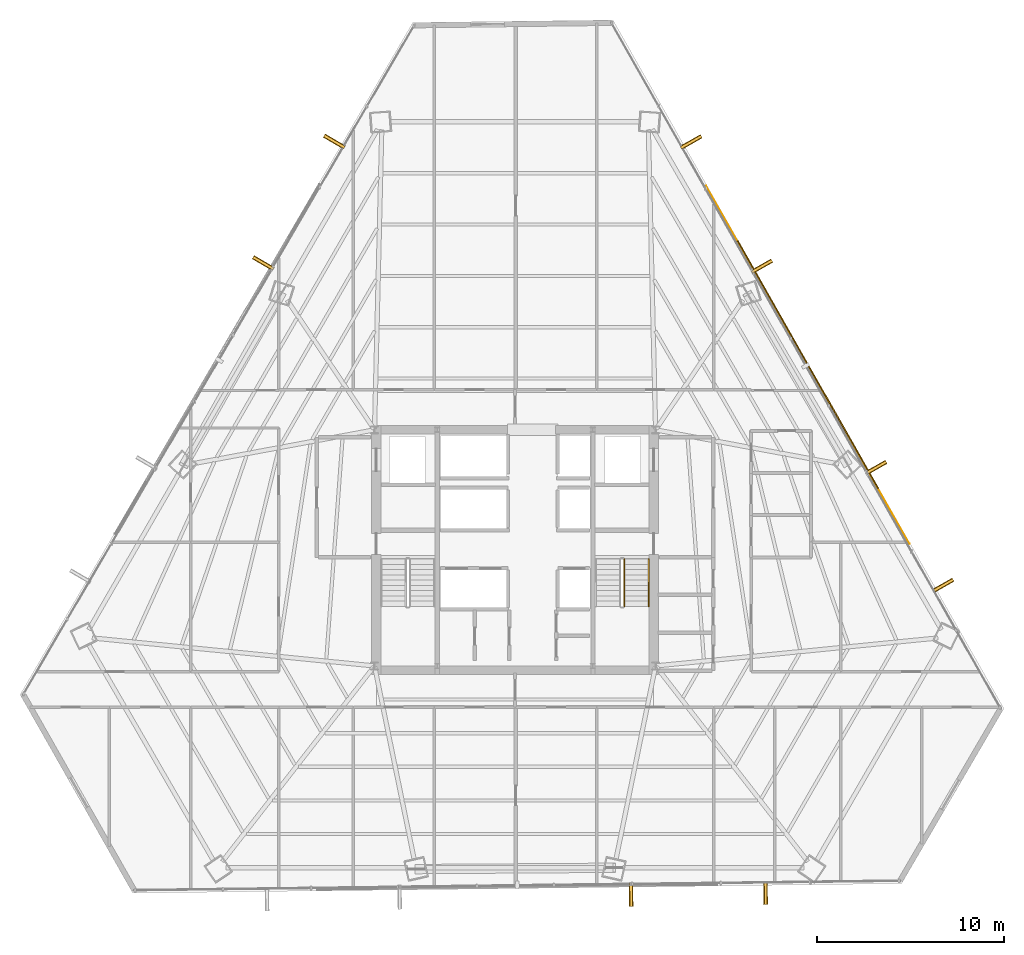
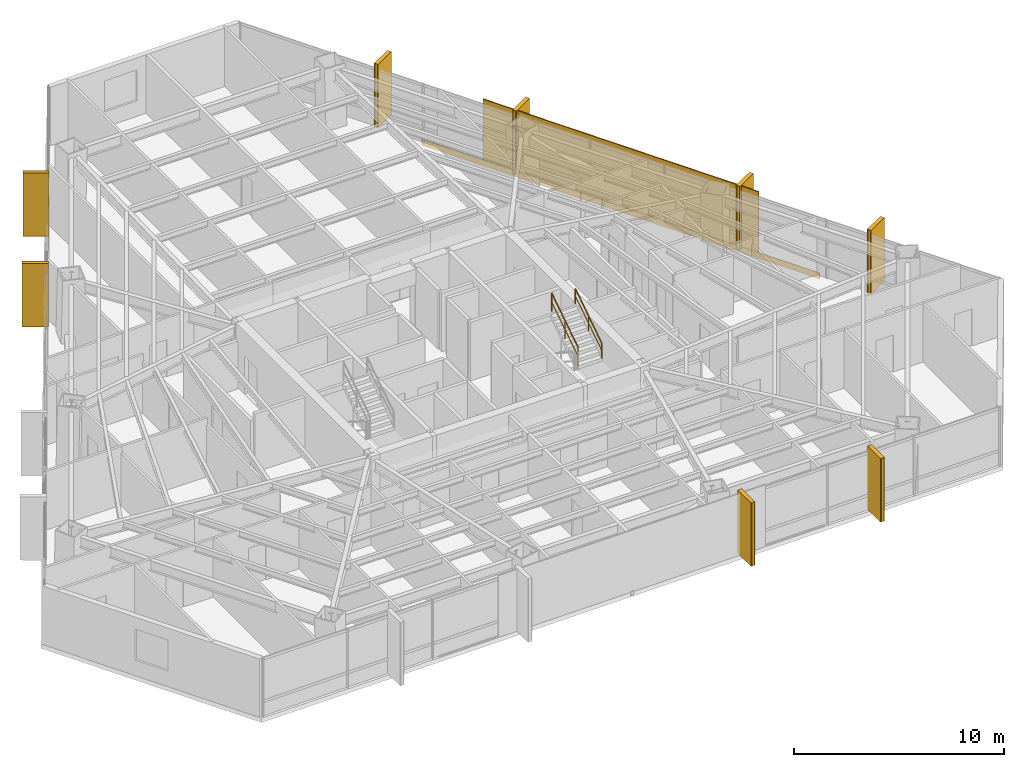
# One storey, part 37 of 37: 9 coverings, 9 shading devices, 2 railings.
"""IFC4 building model written with IfcOpenShell, lengths in metres."""

from ifc_helpers import new_model, si_unit, direction, frame, origin, origin_2d, place, context, subcontext, project, spatial, rectangle, extrude, source, transform, mapped, material, layer, layer_set, type_object, type_shapes, element, save


model = new_model("IFC4")

# Units and contexts
model_context = context("Model", 3, precision=1e-05, world=origin(), true_north=direction((0.0, 1.0)))
body_context = subcontext(model_context, "Body", "Model", "MODEL_VIEW")
ifc_project = project(units=[si_unit("LENGTHUNIT", "METRE"), si_unit("AREAUNIT", "SQUARE_METRE"), si_unit("VOLUMEUNIT", "CUBIC_METRE"), si_unit("PLANEANGLEUNIT", "RADIAN"), si_unit("MASSUNIT", "GRAM", prefix="KILO")], contexts=[model_context])

# Site, building, storey
site_placement = place(None, origin())
site = spatial("IfcSite", under=ifc_project, at=site_placement, CompositionType="ELEMENT")
building_placement = place(site_placement, origin())
building = spatial("IfcBuilding", under=site, at=building_placement, Name="Caelisora Broadcast Tower", CompositionType="ELEMENT")
storey_placement = place(building_placement, frame((0.0, 0.0, 116.35009765625)))
storey = spatial("IfcBuildingStorey", under=building, at=storey_placement, Name="L30", CompositionType="ELEMENT", Elevation=116.35009765625)

# Railings
ifc_material_1 = material(Name="Galvanised Steel Safety Guardrail", Category="steel")
ifc_layer_1 = layer(ifc_material_1, 0.048095703125, Name="Galvanised Steel Safety Guardrail")
ifc_layer_set_1 = layer_set([ifc_layer_1], Name="Galvanised Steel Safety Guardrail")
railing_type_1 = type_object("IfcRailingType", Name="GR-1", PredefinedType="GUARDRAIL", material=ifc_layer_set_1)
railing_1_placement = place(storey_placement, frame((43.830078125, 20.580078125, 2.00732421875)))
element("IfcRailing", 1, at=railing_1_placement, inside=storey, type_object=railing_type_1, Name="L30 ST-2 stair guard 3", PredefinedType="GUARDRAIL", context=body_context, shape_type="SweptSolid", body=[
    extrude(rectangle(XDim=0.048095703125, YDim=0.048095703125, at=origin_2d()), frame((0.0, 0.0, 1.076171875), z_axis=(0.0, 0.837749427056, 0.546054848405), x_axis=(-1.0, 0.0, 0.0)), (0.0, 0.0, 1.0), 3.008056640625),
    extrude(rectangle(XDim=0.03125, YDim=0.03125, at=origin_2d()), frame((0.0, 0.0, 0.550048828125), z_axis=(0.0, 0.837749427056, 0.546054848405), x_axis=(-1.0, 0.0, 0.0)), (0.0, 0.0, 1.0), 3.008056640625),
    extrude(rectangle(XDim=0.0419921875, YDim=0.0419921875, at=origin_2d()), origin(), (0.0, 0.0, 1.0), 1.052001953125),
    extrude(rectangle(XDim=0.0419921875, YDim=0.0419921875, at=origin_2d()), frame((0.0, 1.260009765625, 0.8212890625)), (0.0, 0.0, 1.0), 1.052001953125),
    extrude(rectangle(XDim=0.0419921875, YDim=0.0419921875, at=origin_2d()), frame((0.0, 2.52001953125, 1.642578125)), (0.0, 0.0, 1.0), 1.052001953125),
])
ifc_material_2 = material(Name="Stainless Steel Grade 316 Tubular Handrail", Category="steel")
ifc_layer_2 = layer(ifc_material_2, 0.048095703125, Name="Stainless Steel Grade 316 Tubular Handrail")
ifc_layer_set_2 = layer_set([ifc_layer_2], Name="Stainless Steel Grade 316 Tubular Handrail")
railing_type_2 = type_object("IfcRailingType", Name="HR-1", PredefinedType="HANDRAIL", material=ifc_layer_set_2)
railing_2_placement = place(storey_placement, frame((45.1298828125, 20.580078125, 2.00732421875)))
element("IfcRailing", 2, at=railing_2_placement, inside=storey, type_object=railing_type_2, Name="L30 ST-2 stair handrail 2", PredefinedType="HANDRAIL", context=body_context, shape_type="SweptSolid", body=[
    extrude(rectangle(XDim=0.048095703125, YDim=0.048095703125, at=origin_2d()), frame((0.0, 0.0, 0.8759765625), z_axis=(0.0, 0.837749427056, 0.546054848405), x_axis=(-1.0, 0.0, 0.0)), (0.0, 0.0, 1.0), 3.008056640625),
    extrude(rectangle(XDim=0.03125, YDim=0.03125, at=origin_2d()), frame((0.0, 0.0, 0.449951171875), z_axis=(0.0, 0.837749427056, 0.546054848405), x_axis=(-1.0, 0.0, 0.0)), (0.0, 0.0, 1.0), 3.008056640625),
    extrude(rectangle(XDim=0.0419921875, YDim=0.0419921875, at=origin_2d()), origin(), (0.0, 0.0, 1.0), 0.851806640625),
    extrude(rectangle(XDim=0.0419921875, YDim=0.0419921875, at=origin_2d()), frame((0.0, 1.260009765625, 0.8212890625)), (0.0, 0.0, 1.0), 0.851806640625),
    extrude(rectangle(XDim=0.0419921875, YDim=0.0419921875, at=origin_2d()), frame((0.0, 2.52001953125, 1.642578125)), (0.0, 0.0, 1.0), 0.851806640625),
])

# Coverings
ifc_material_3 = material(Name="Kiln-Fired Terracotta Spandrel Rainscreen Cladding", Category="ceramic")
ifc_layer_3 = layer(ifc_material_3, 0.044921875, Name="Kiln-Fired Terracotta Spandrel Rainscreen Cladding")
ifc_layer_set_3 = layer_set([ifc_layer_3], Name="Kiln-Fired Terracotta Spandrel Rainscreen Cladding")
covering_type = type_object("IfcCoveringType", Name="CL-1", PredefinedType="CLADDING", material=ifc_layer_set_3)
shared_shape_1 = source(origin(), body_context, "Body", "SweptSolid", [
    extrude(rectangle(XDim=0.219970703125, YDim=1.25, at=origin_2d()), origin(), (0.0, 0.0, 1.0), 3.68994140625),
])
for number, where, z_axis, x_axis, name in (
    (3, (47.3994140625, 45.360107421875, -0.02001953125), (0.0, 0.0, 1.0), (0.493790103568, -0.86958112538, 0.0), "L30 vertical solar fin cladding #1-1"),
    (4, (51.16796875, 38.722900390625, -0.02001953125), (0.0, 0.0, 1.0), (0.493790103568, -0.86958112538, 0.0), "L30 vertical solar fin cladding #1-2"),
    (5, (57.266357421875, 27.98193359375, -0.02001953125), (0.0, 0.0, 1.0), (0.493790103568, -0.86958112538, 0.0), "L30 vertical solar fin cladding #1-3"),
    (6, (60.836669921875, 21.693603515625, -0.02001953125), (0.0, 0.0, 1.0), (0.493790103568, -0.86958112538, 0.0), "L30 vertical solar fin cladding #1-4"),
    (7, (51.372802734375, 5.281982421875, -0.02001953125), (0.0, 0.0, 1.0), (-0.999923222162, -0.012391520548, 0.0), "L30 vertical solar fin cladding #2-1"),
    (8, (44.19287109375, 5.193115234375, -0.02001953125), (0.0, 0.0, 1.0), (-0.999923222162, -0.012391520548, 0.0), "L30 vertical solar fin cladding #2-2"),
    (9, (24.562255859375, 38.8994140625, -0.02001953125), (0.0, 0.0, 1.0), (0.504527623815, 0.863395550607, 0.0), "L30 vertical solar fin cladding #3-3"),
    (10, (28.352294921875, 45.386474609375, -0.02001953125), (0.0, 0.0, 1.0), (0.504527623815, 0.863395550607, 0.0), "L30 vertical solar fin cladding #3-4"),
):
    element("IfcCovering", number, at=place(storey_placement, frame(where, z_axis=z_axis, x_axis=x_axis)), inside=storey, type_object=covering_type, Name=name, PredefinedType="CLADDING", context=body_context, shape_type="MappedRepresentation", body=[
        mapped(shared_shape_1, transform((0.0, 0.0, 0.0), scale=1.0)),
    ])

# Shading devices
ifc_material_4 = material(Name="Extruded Terracotta Flaring Colonnade Fin", Category="ceramic")
ifc_layer_4 = layer(ifc_material_4, 0.139892578125, Name="Extruded Terracotta Flaring Colonnade Fin")
ifc_layer_set_4 = layer_set([ifc_layer_4], Name="Extruded Terracotta Flaring Colonnade Fin")
shading_device_type_1 = type_object("IfcShadingDeviceType", Name="FN-1", PredefinedType="USERDEFINED", material=ifc_layer_set_4)
shared_shape_2 = source(origin(), body_context, "Body", "SweptSolid", [
    extrude(rectangle(XDim=0.139892578125, YDim=1.25, at=origin_2d()), origin(), (0.0, 0.0, 1.0), 3.669921875),
])
type_shapes(shading_device_type_1, [shared_shape_2])
for number, where, z_axis, x_axis, name in (
    (11, (47.3994140625, 45.360107421875, -0.010009765625), (0.0, 0.0, 1.0), (0.493790103568, -0.86958112538, 0.0), "L30 vertical terracotta fin #1-1"),
    (12, (51.16796875, 38.722900390625, -0.010009765625), (0.0, 0.0, 1.0), (0.493790103568, -0.86958112538, 0.0), "L30 vertical terracotta fin #1-2"),
    (13, (57.266357421875, 27.98193359375, -0.010009765625), (0.0, 0.0, 1.0), (0.493790103568, -0.86958112538, 0.0), "L30 vertical terracotta fin #1-3"),
    (14, (60.836669921875, 21.693603515625, -0.010009765625), (0.0, 0.0, 1.0), (0.493790103568, -0.86958112538, 0.0), "L30 vertical terracotta fin #1-4"),
    (15, (51.372802734375, 5.281982421875, -0.010009765625), (0.0, 0.0, 1.0), (-0.999923222162, -0.012391520548, 0.0), "L30 vertical terracotta fin #2-1"),
    (16, (44.19287109375, 5.193115234375, -0.010009765625), (0.0, 0.0, 1.0), (-0.999923222162, -0.012391520548, 0.0), "L30 vertical terracotta fin #2-2"),
    (17, (24.562255859375, 38.8994140625, -0.010009765625), (0.0, 0.0, 1.0), (0.504527623815, 0.863395550607, 0.0), "L30 vertical terracotta fin #3-3"),
    (18, (28.352294921875, 45.386474609375, -0.010009765625), (0.0, 0.0, 1.0), (0.504527623815, 0.863395550607, 0.0), "L30 vertical terracotta fin #3-4"),
):
    element("IfcShadingDevice", number, at=place(storey_placement, frame(where, z_axis=z_axis, x_axis=x_axis)), inside=storey, type_object=shading_device_type_1, Name=name, ObjectType="FIN", PredefinedType="USERDEFINED", context=body_context, shape_type="MappedRepresentation", body=[
        mapped(shared_shape_2, transform((0.0, 0.0, 0.0), scale=1.0)),
    ])
ifc_material_5 = material(Name="Perforated Glazed Terracotta Baguette Solar Screen", Category="ceramic")
ifc_layer_5 = layer(ifc_material_5, 0.06494140625, Name="Perforated Glazed Terracotta Baguette Solar Screen")
ifc_layer_set_5 = layer_set([ifc_layer_5], Name="Perforated Glazed Terracotta Baguette Solar Screen")
shading_device_type_2 = type_object("IfcShadingDeviceType", Name="SS-1", PredefinedType="USERDEFINED", material=ifc_layer_set_5)
shared_shape_3 = source(origin(), body_context, "Body", "SweptSolid", [
    extrude(rectangle(XDim=15.2109375, YDim=0.06494140625, at=origin_2d()), origin(), (0.0, 0.0, 1.0), 3.590087890625),
])
type_shapes(shading_device_type_2, [shared_shape_3])
shading_device_placement = place(storey_placement, frame((53.627197265625, 33.480224609375, 0.0), z_axis=(0.0, 0.0, 1.0), x_axis=(-0.493790103568, 0.86958112538, 0.0)))
element("IfcShadingDevice", 19, at=shading_device_placement, inside=storey, type_object=shading_device_type_2, Name="L30 perforated terracotta solar screen #3", ObjectType="SOLAR SCREEN", PredefinedType="USERDEFINED", context=body_context, shape_type="MappedRepresentation", body=[
    mapped(shared_shape_3, transform((0.0, 0.0, 0.0), scale=1.0)),
])

# Covering
shared_shape_4 = source(origin(), body_context, "Body", "SweptSolid", [
    extrude(rectangle(XDim=21.971923828125, YDim=0.044921875, at=origin_2d()), origin(), (0.0, 0.0, 1.0), 0.340087890625),
])
type_shapes(covering_type, [shared_shape_1, shared_shape_4])
covering_placement = place(storey_placement, frame((53.60986328125, 33.470458984375, -0.27001953125), z_axis=(0.0, 0.0, 1.0), x_axis=(-0.493790103568, 0.86958112538, 0.0)))
element("IfcCovering", 20, at=covering_placement, inside=storey, type_object=covering_type, Name="L30 terracotta spandrel rainscreen #3", PredefinedType="CLADDING", context=body_context, shape_type="MappedRepresentation", body=[
    mapped(shared_shape_4, transform((0.0, 0.0, 0.0), scale=1.0)),
])

save(model, "model.ifc")
